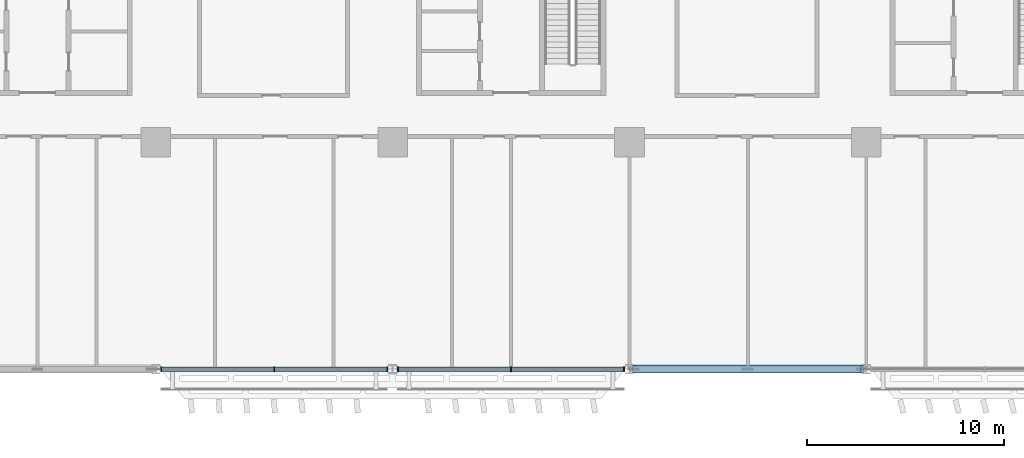
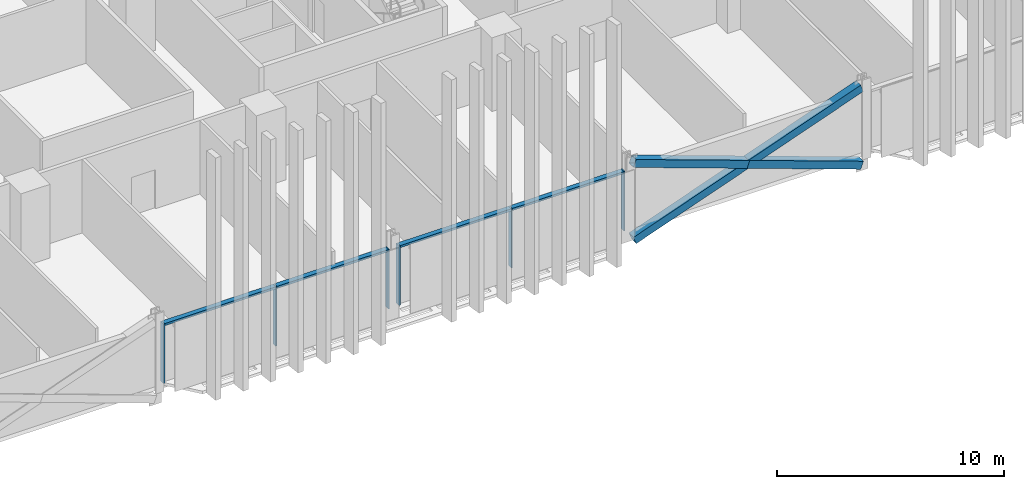
# One storey, part 3 of 29: 13 members, 2 elements without a shape of their own.
"""IFC4 building model written with IfcOpenShell, lengths in metres."""

from ifc_helpers import new_model, si_unit, direction, frame, origin, origin_2d, place, context, subcontext, project, spatial, rectangle, hollow_rectangle, extrude, material, material_profile, profile_set, type_object, element, aggregate, save


model = new_model("IFC4")

# Units and contexts
model_context = context("Model", 3, precision=1e-05, world=origin(), true_north=direction((0.0, 1.0)))
body_context = subcontext(model_context, "Body", "Model", "MODEL_VIEW")
ifc_project = project(units=[si_unit("LENGTHUNIT", "METRE"), si_unit("AREAUNIT", "SQUARE_METRE"), si_unit("VOLUMEUNIT", "CUBIC_METRE"), si_unit("PLANEANGLEUNIT", "RADIAN"), si_unit("MASSUNIT", "GRAM", prefix="KILO")], contexts=[model_context])

# Site, building, storey
site_placement = place(None, origin())
site = spatial("IfcSite", under=ifc_project, at=site_placement, CompositionType="ELEMENT")
building_placement = place(site_placement, origin())
building = spatial("IfcBuilding", under=site, at=building_placement, Name="Mahtab Terrace Research Tower", CompositionType="ELEMENT")
storey_placement = place(building_placement, frame((0.0, 0.0, 46.0)))
storey = spatial("IfcBuildingStorey", under=building, at=storey_placement, Name="L10", CompositionType="ELEMENT", Elevation=46.0)

# Members
ifc_material_1 = material(Name="Steel ASTM A500 Gr C", Category="steel")
ifc_material_profile_1 = material_profile(ifc_material_1, hollow_rectangle(XDim=0.406494140625, YDim=0.406494140625, WallThickness=0.01904296875, at=origin_2d()), Name="HSS16X16X3/4")
ifc_profile_set_1 = profile_set([ifc_material_profile_1], Name="Steel ASTM A500 Gr C")
member_type_1 = type_object("IfcMemberType", Name="HSS 16x16x3/4 brace XB161634", PredefinedType="BRACE", material=ifc_profile_set_1)
member_1_placement = place(storey_placement, frame((6.212158203125, -23.0, -0.642333984375), z_axis=(0.941386519928, 0.0, 0.337329838731), x_axis=(0.0, 1.0, 0.0)))
element("IfcMember", 1, at=member_1_placement, inside=storey, type_object=member_type_1, Name="Exoskeleton brace L10 17 a", PredefinedType="BRACE", context=body_context, shape_type="SweptSolid", body=[
    extrude(hollow_rectangle(XDim=0.406494140625, YDim=0.406494140625, WallThickness=0.01904296875, at=origin_2d()), origin(), (0.0, 0.0, 1.0), 12.29638671875),
])
for number, where, z_axis, x_axis, name in (
    (2, (17.787841796875, -23.0, -0.642333984375), (-0.941386519928, 0.0, 0.337329838731), (0.0, -1.0, 0.0), "Exoskeleton brace L10 17 b1"),
    (3, (12.0, -23.0, 1.431640625), (-0.941386519928, 0.0, 0.337329838731), (0.0, -1.0, 0.0), "Exoskeleton brace L10 17 b2"),
):
    element("IfcMember", number, at=place(storey_placement, frame(where, z_axis=z_axis, x_axis=x_axis)), inside=storey, type_object=member_type_1, Name=name, PredefinedType="BRACE", context=body_context, shape_type="SweptSolid", body=[
        extrude(hollow_rectangle(XDim=0.406494140625, YDim=0.406494140625, WallThickness=0.01904296875, at=origin_2d()), origin(), (0.0, 0.0, 1.0), 6.148193359375),
    ])

# Curtain wall, members
ifc_material_2 = material(Name="Sky lounge full-height curtain wall")
curtain_wall_type = type_object("IfcCurtainWallType", Name="Sky lounge full-height curtain wall", PredefinedType="NOTDEFINED", material=ifc_material_2)
curtain_wall_1_placement = place(storey_placement, origin())
curtain_wall_1 = element("IfcCurtainWall", 4, at=curtain_wall_1_placement, inside=storey, type_object=curtain_wall_type, Name="EN.L10.13.25", PredefinedType="NOTDEFINED")
ifc_material_3 = material(Name="Natural anodised aluminium", Category="aluminium")
ifc_material_profile_2 = material_profile(ifc_material_3, rectangle(XDim=0.25, YDim=0.070068359375, at=origin_2d()), Name="MULLION 70x250")
ifc_profile_set_2 = profile_set([ifc_material_profile_2], Name="Natural anodised aluminium")
member_type_2 = type_object("IfcMemberType", Name="Sky lounge full-height curtain wall mullion", PredefinedType="MULLION", material=ifc_profile_set_2)
member_2_placement = place(storey_placement, frame((-17.72705078125, -23.0, 0.0), z_axis=(0.0, 0.0, 1.0), x_axis=(0.0, 1.0, 0.0)))
member_2 = element("IfcMember", 5, at=member_2_placement, type_object=member_type_2, Name="CWS-2 mullion 1", PredefinedType="MULLION", context=body_context, shape_type="SweptSolid", body=[
    extrude(rectangle(XDim=0.25, YDim=0.070068359375, at=origin_2d()), origin(), (0.0, 0.0, 1.0), 3.203125),
])
member_3_placement = place(storey_placement, frame((-12.0, -23.0, 0.0), z_axis=(0.0, 0.0, 1.0), x_axis=(0.0, 1.0, 0.0)))
member_3 = element("IfcMember", 6, at=member_3_placement, type_object=member_type_2, Name="CWS-2 mullion 2", PredefinedType="MULLION", context=body_context, shape_type="SweptSolid", body=[
    extrude(rectangle(XDim=0.25, YDim=0.070068359375, at=origin_2d()), origin(), (0.0, 0.0, 1.0), 3.203125),
])
member_4_placement = place(storey_placement, frame((-6.27294921875, -23.0, 0.0), z_axis=(0.0, 0.0, 1.0), x_axis=(0.0, 1.0, 0.0)))
member_4 = element("IfcMember", 7, at=member_4_placement, type_object=member_type_2, Name="CWS-2 mullion 3", PredefinedType="MULLION", context=body_context, shape_type="SweptSolid", body=[
    extrude(rectangle(XDim=0.25, YDim=0.070068359375, at=origin_2d()), origin(), (0.0, 0.0, 1.0), 3.203125),
])

curtain_wall_2_placement = place(storey_placement, origin())
curtain_wall_2 = element("IfcCurtainWall", 8, at=curtain_wall_2_placement, inside=storey, type_object=curtain_wall_type, Name="EN.L10.13.26", PredefinedType="NOTDEFINED")
member_5_placement = place(storey_placement, frame((-5.72705078125, -23.0, 0.0), z_axis=(0.0, 0.0, 1.0), x_axis=(0.0, 1.0, 0.0)))
member_5 = element("IfcMember", 9, at=member_5_placement, type_object=member_type_2, Name="CWS-2 mullion 1", PredefinedType="MULLION", context=body_context, shape_type="SweptSolid", body=[
    extrude(rectangle(XDim=0.25, YDim=0.070068359375, at=origin_2d()), origin(), (0.0, 0.0, 1.0), 3.203125),
])
member_6_placement = place(storey_placement, frame((0.0, -23.0, 0.0), z_axis=(0.0, 0.0, 1.0), x_axis=(0.0, 1.0, 0.0)))
member_6 = element("IfcMember", 10, at=member_6_placement, type_object=member_type_2, Name="CWS-2 mullion 2", PredefinedType="MULLION", context=body_context, shape_type="SweptSolid", body=[
    extrude(rectangle(XDim=0.25, YDim=0.070068359375, at=origin_2d()), origin(), (0.0, 0.0, 1.0), 3.203125),
])
member_7_placement = place(storey_placement, frame((5.72705078125, -23.0, 0.0), z_axis=(0.0, 0.0, 1.0), x_axis=(0.0, 1.0, 0.0)))
member_7 = element("IfcMember", 11, at=member_7_placement, type_object=member_type_2, Name="CWS-2 mullion 3", PredefinedType="MULLION", context=body_context, shape_type="SweptSolid", body=[
    extrude(rectangle(XDim=0.25, YDim=0.070068359375, at=origin_2d()), origin(), (0.0, 0.0, 1.0), 3.203125),
])

# Member
ifc_material_profile_3 = material_profile(ifc_material_3, rectangle(XDim=0.25, YDim=0.1201171875, at=origin_2d()), Name="TRANSOM 120x250")
ifc_profile_set_3 = profile_set([ifc_material_profile_3], Name="Natural anodised aluminium")
member_type_3 = type_object("IfcMemberType", Name="Sky lounge full-height curtain wall transom", PredefinedType="USERDEFINED", material=ifc_profile_set_3)
member_8_placement = place(storey_placement, frame((-17.69189453125, -23.0, 3.14306640625), z_axis=(1.0, 0.0, 0.0), x_axis=(0.0, 1.0, 0.0)))
member_8 = element("IfcMember", 12, at=member_8_placement, type_object=member_type_3, Name="CWS-2 transom 1", ObjectType="TRANSOM", PredefinedType="USERDEFINED", context=body_context, shape_type="SweptSolid", body=[
    extrude(rectangle(XDim=0.25, YDim=0.1201171875, at=origin_2d()), origin(), (0.0, 0.0, 1.0), 5.656982421875),
])

member_9_placement = place(storey_placement, frame((-11.965087890625, -23.0, 3.14306640625), z_axis=(1.0, 0.0, 0.0), x_axis=(0.0, 1.0, 0.0)))
member_9 = element("IfcMember", 13, at=member_9_placement, type_object=member_type_3, Name="CWS-2 transom 2", ObjectType="TRANSOM", PredefinedType="USERDEFINED", context=body_context, shape_type="SweptSolid", body=[
    extrude(rectangle(XDim=0.25, YDim=0.1201171875, at=origin_2d()), origin(), (0.0, 0.0, 1.0), 5.656982421875),
])

aggregate(curtain_wall_1, [member_2, member_3, member_4, member_8, member_9])

member_10_placement = place(storey_placement, frame((-5.69189453125, -23.0, 3.14306640625), z_axis=(1.0, 0.0, 0.0), x_axis=(0.0, 1.0, 0.0)))
member_10 = element("IfcMember", 14, at=member_10_placement, type_object=member_type_3, Name="CWS-2 transom 1", ObjectType="TRANSOM", PredefinedType="USERDEFINED", context=body_context, shape_type="SweptSolid", body=[
    extrude(rectangle(XDim=0.25, YDim=0.1201171875, at=origin_2d()), origin(), (0.0, 0.0, 1.0), 5.656982421875),
])

member_11_placement = place(storey_placement, frame((0.034912109375, -23.0, 3.14306640625), z_axis=(1.0, 0.0, 0.0), x_axis=(0.0, 1.0, 0.0)))
member_11 = element("IfcMember", 15, at=member_11_placement, type_object=member_type_3, Name="CWS-2 transom 2", ObjectType="TRANSOM", PredefinedType="USERDEFINED", context=body_context, shape_type="SweptSolid", body=[
    extrude(rectangle(XDim=0.25, YDim=0.1201171875, at=origin_2d()), origin(), (0.0, 0.0, 1.0), 5.656982421875),
])

aggregate(curtain_wall_2, [member_5, member_6, member_7, member_10, member_11])

save(model, "model.ifc")
